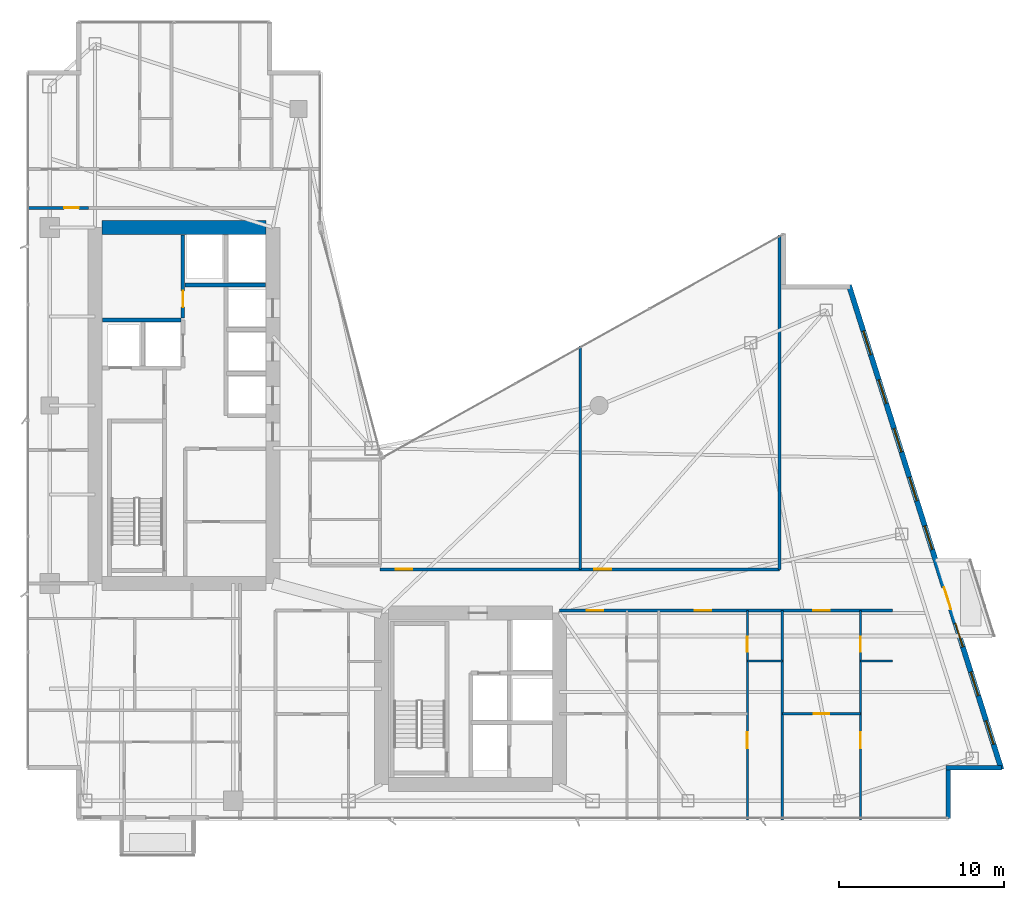
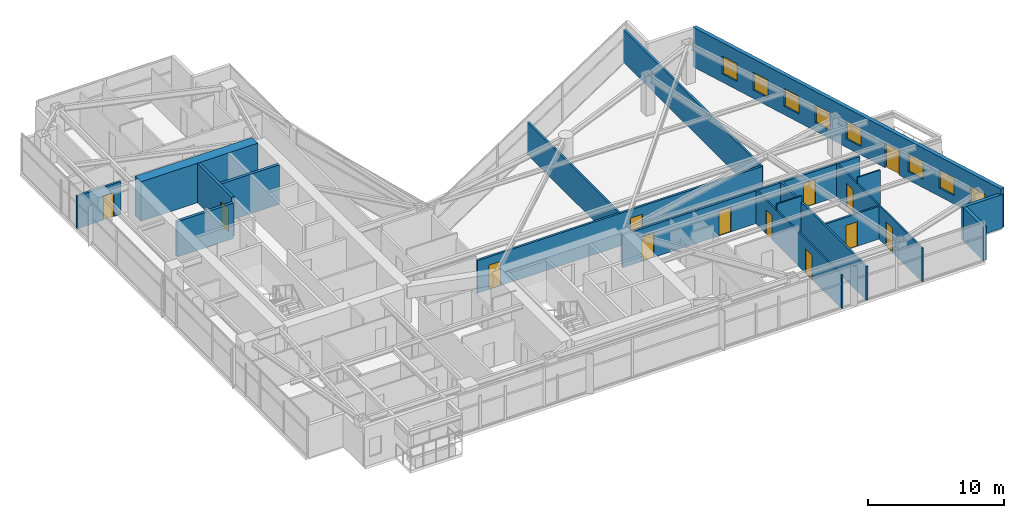
# One storey, part 24 of 28: 18 walls, 13 doors, 8 windows, 21 openings.
"""IFC4 building model written with IfcOpenShell, lengths in metres."""

from ifc_helpers import new_model, si_unit, direction, frame, frame_2d, origin, place, context, subcontext, project, spatial, rectangle, extrude, material, layer, layer_set, type_object, element, fill, save


model = new_model("IFC4")

# Units and contexts
model_context = context("Model", 3, precision=1e-05, world=origin(), true_north=direction((0.0, 1.0)))
body_context = subcontext(model_context, "Body", "Model", "MODEL_VIEW")
ifc_project = project(units=[si_unit("LENGTHUNIT", "METRE"), si_unit("AREAUNIT", "SQUARE_METRE"), si_unit("VOLUMEUNIT", "CUBIC_METRE"), si_unit("PLANEANGLEUNIT", "RADIAN"), si_unit("MASSUNIT", "GRAM", prefix="KILO")], contexts=[model_context])

# Site, building, storey
site_placement = place(None, origin())
site = spatial("IfcSite", under=ifc_project, at=site_placement, CompositionType="ELEMENT")
building_placement = place(site_placement, origin())
building = spatial("IfcBuilding", under=site, at=building_placement, Name="Calvorn Quay Hotel", CompositionType="ELEMENT")
storey_placement = place(building_placement, frame((0.0, 0.0, 152.300048828125)))
storey = spatial("IfcBuildingStorey", under=building, at=storey_placement, Name="L37", CompositionType="ELEMENT", Elevation=152.300048828125)

# Wall
ifc_material_1 = material(Name="Concrete C50", Category="concrete")
ifc_layer_1 = layer(ifc_material_1, 0.85009765625)
ifc_layer_set_1 = layer_set([ifc_layer_1], Name="WL-CORE-850")
wall_type_1 = type_object("IfcWallType", Name="WL-CORE-850", PredefinedType="SHEAR", material=ifc_layer_set_1)
wall_1_placement = place(storey_placement, frame((4.625, 38.39990234375, 0.0), z_axis=(0.0, 0.0, 1.0), x_axis=(1.0, 0.0, 0.0)))
element("IfcWall", 1, at=wall_1_placement, inside=storey, type_object=wall_type_1, Name="West Core Shear Wall N (L37)", PredefinedType="SHEAR", context=body_context, shape_type="SweptSolid", body=[
    extrude(rectangle(XDim=9.949951171875, YDim=0.85009765625, at=frame_2d((4.97509765625, 0.0))), origin(), (0.0, 0.0, 1.0), 3.56005859375),
])

# Wall, opening, door
ifc_material_2 = material(Name="Acoustic Fireboard Steel-Stud Partition", Category="steel")
ifc_layer_2 = layer(ifc_material_2, 0.179931640625)
ifc_layer_set_2 = layer_set([ifc_layer_2], Name="WL-CORR-FIRE-180")
wall_type_2 = type_object("IfcWallType", Name="WL-CORR-FIRE-180", PredefinedType="PARTITIONING", material=ifc_layer_set_2)
wall_2_placement = place(storey_placement, frame((0.080078125, 39.60009765625, 0.0), z_axis=(0.0, 0.0, 1.0), x_axis=(1.0, 0.0, 0.0)))
wall_2 = element("IfcWall", 2, at=wall_2_placement, inside=storey, type_object=wall_type_2, Name="Partition Wall L37-WL-WBAY-N-DOOR", PredefinedType="PARTITIONING", context=body_context, shape_type="SweptSolid", body=[
    extrude(rectangle(XDim=3.724853515625, YDim=0.179931640625, at=frame_2d((1.8623046875, 0.0))), origin(), (0.0, 0.0, 1.0), 2.93994140625),
])
opening_1_placement = place(wall_2_placement, frame((2.25, 0.0, 0.0)))
opening_1 = element("IfcOpeningElement", 3, at=opening_1_placement, cuts=wall_2, Name="Opening D-L37-WBN", PredefinedType="OPENING", context=body_context, shape_type="SweptSolid", body=[
    extrude(rectangle(XDim=0.89990234375, YDim=2.14990234375, at=frame_2d((0.449951171875, 1.074951171875))), frame((0.0, 0.099853515625, 0.0), z_axis=(0.0, -1.0, 0.0), x_axis=(1.0, 0.0, 0.0)), (0.0, 0.0, 1.0), 0.199951171875),
])
ifc_material_3 = material(Name="Moisture-Sealed Timber En-Suite Door", Category="wood")
door_type_1 = type_object("IfcDoorType", Name="DR-ENSUITE-900", OperationType="NOTDEFINED", PredefinedType="DOOR", material=ifc_material_3)
door_1_placement = place(opening_1_placement, origin())
door_1 = element("IfcDoor", 4, at=door_1_placement, inside=storey, type_object=door_type_1, Name="West North Bay Door (L37)", OperationType="SINGLE_SWING_LEFT", OverallHeight=2.14990234375, OverallWidth=0.89990234375, PredefinedType="DOOR", context=body_context, shape_type="SweptSolid", body=[
    extrude(rectangle(XDim=0.89990234375, YDim=2.14990234375, at=frame_2d((0.449951171875, 1.074951171875))), frame((0.0, 0.02490234375, 0.0), z_axis=(0.0, -1.0, 0.0), x_axis=(1.0, 0.0, 0.0)), (0.0, 0.0, 1.0), 0.050048828125),
])
fill(opening_1, door_1)

# Wall, openings, doors
wall_3_placement = place(storey_placement, frame((32.39990234375, 15.14990234375, 0.0), z_axis=(0.0, 0.0, 1.0), x_axis=(1.0, 0.0, 0.0)))
wall_3 = element("IfcWall", 5, at=wall_3_placement, inside=storey, type_object=wall_type_2, Name="Partition Wall L37-WL-CORR-SE-S", PredefinedType="PARTITIONING", context=body_context, shape_type="SweptSolid", body=[
    extrude(rectangle(XDim=20.2001953125, YDim=0.179931640625, at=frame_2d((10.10009765625, 0.0))), origin(), (0.0, 0.0, 1.0), 2.93994140625),
])
opening_2_placement = place(wall_3_placement, frame((1.639892578125, 0.0, 0.0)))
opening_2 = element("IfcOpeningElement", 6, at=opening_2_placement, cuts=wall_3, Name="Opening D-L37-U06", PredefinedType="OPENING", context=body_context, shape_type="SweptSolid", body=[
    extrude(rectangle(XDim=1.02001953125, YDim=2.199951171875, at=frame_2d((0.510009765625, 1.10009765625))), frame((0.0, 0.099853515625, 0.0), z_axis=(0.0, -1.0, 0.0), x_axis=(1.0, 0.0, 0.0)), (0.0, 0.0, 1.0), 0.199951171875),
])
opening_3_placement = place(wall_3_placement, frame((8.199951171875, 0.0, 0.0)))
opening_3 = element("IfcOpeningElement", 7, at=opening_3_placement, cuts=wall_3, Name="Opening D-L37-U07", PredefinedType="OPENING", context=body_context, shape_type="SweptSolid", body=[
    extrude(rectangle(XDim=1.02001953125, YDim=2.199951171875, at=frame_2d((0.510009765625, 1.10009765625))), frame((0.0, 0.099853515625, 0.0), z_axis=(0.0, -1.0, 0.0), x_axis=(1.0, 0.0, 0.0)), (0.0, 0.0, 1.0), 0.199951171875),
])
opening_4_placement = place(wall_3_placement, frame((15.389892578125, 0.0, 0.0)))
opening_4 = element("IfcOpeningElement", 8, at=opening_4_placement, cuts=wall_3, Name="Opening D-L37-U08", PredefinedType="OPENING", context=body_context, shape_type="SweptSolid", body=[
    extrude(rectangle(XDim=1.02001953125, YDim=2.199951171875, at=frame_2d((0.510009765625, 1.10009765625))), frame((0.0, 0.099853515625, 0.0), z_axis=(0.0, -1.0, 0.0), x_axis=(1.0, 0.0, 0.0)), (0.0, 0.0, 1.0), 0.199951171875),
])
ifc_material_4 = material(Name="Solid-Core Walnut Veneer Hotel Fire Door")
door_type_2 = type_object("IfcDoorType", Name="DR-GUEST-ENTRY-1020", OperationType="NOTDEFINED", PredefinedType="DOOR", material=ifc_material_4)
door_2_placement = place(opening_2_placement, origin())
door_2 = element("IfcDoor", 9, at=door_2_placement, inside=storey, type_object=door_type_2, Name="South-East Unit Door U06 (L37)", OperationType="SINGLE_SWING_LEFT", OverallHeight=2.199951171875, OverallWidth=1.02001953125, PredefinedType="DOOR", context=body_context, shape_type="SweptSolid", body=[
    extrude(rectangle(XDim=1.02001953125, YDim=2.199951171875, at=frame_2d((0.510009765625, 1.10009765625))), frame((0.0, 0.02490234375, 0.0), z_axis=(0.0, -1.0, 0.0), x_axis=(1.0, 0.0, 0.0)), (0.0, 0.0, 1.0), 0.050048828125),
])
fill(opening_2, door_2)
door_3_placement = place(opening_3_placement, origin())
door_3 = element("IfcDoor", 10, at=door_3_placement, inside=storey, type_object=door_type_2, Name="South-East Unit Door U07 (L37)", OperationType="SINGLE_SWING_RIGHT", OverallHeight=2.199951171875, OverallWidth=1.02001953125, PredefinedType="DOOR", context=body_context, shape_type="SweptSolid", body=[
    extrude(rectangle(XDim=1.02001953125, YDim=2.199951171875, at=frame_2d((0.510009765625, 1.10009765625))), frame((0.0, 0.02490234375, 0.0), z_axis=(0.0, -1.0, 0.0), x_axis=(1.0, 0.0, 0.0)), (0.0, 0.0, 1.0), 0.050048828125),
])
fill(opening_3, door_3)
door_4_placement = place(opening_4_placement, origin())
door_4 = element("IfcDoor", 11, at=door_4_placement, inside=storey, type_object=door_type_2, Name="South-East Unit Door U08 (L37)", OperationType="SINGLE_SWING_LEFT", OverallHeight=2.199951171875, OverallWidth=1.02001953125, PredefinedType="DOOR", context=body_context, shape_type="SweptSolid", body=[
    extrude(rectangle(XDim=1.02001953125, YDim=2.199951171875, at=frame_2d((0.510009765625, 1.10009765625))), frame((0.0, 0.02490234375, 0.0), z_axis=(0.0, -1.0, 0.0), x_axis=(1.0, 0.0, 0.0)), (0.0, 0.0, 1.0), 0.050048828125),
])
fill(opening_4, door_4)

wall_4_placement = place(storey_placement, frame((21.5, 17.64990234375, 0.0), z_axis=(0.0, 0.0, 1.0), x_axis=(1.0, 0.0, 0.0)))
wall_4 = element("IfcWall", 12, at=wall_4_placement, inside=storey, type_object=wall_type_2, Name="Partition Wall L37-WL-CORR-NE-N", PredefinedType="PARTITIONING", context=body_context, shape_type="SweptSolid", body=[
    extrude(rectangle(XDim=24.25, YDim=0.179931640625, at=frame_2d((12.125, 0.0))), origin(), (0.0, 0.0, 1.0), 2.93994140625),
])
opening_5_placement = place(wall_4_placement, frame((0.949951171875, 0.0, 0.0)))
opening_5 = element("IfcOpeningElement", 13, at=opening_5_placement, cuts=wall_4, Name="Opening D-L37-NS1", PredefinedType="OPENING", context=body_context, shape_type="SweptSolid", body=[
    extrude(rectangle(XDim=1.02001953125, YDim=2.199951171875, at=frame_2d((0.510009765625, 1.10009765625))), frame((0.0, 0.099853515625, 0.0), z_axis=(0.0, -1.0, 0.0), x_axis=(1.0, 0.0, 0.0)), (0.0, 0.0, 1.0), 0.199951171875),
])
opening_6_placement = place(wall_4_placement, frame((13.02001953125, 0.0, 0.0)))
opening_6 = element("IfcOpeningElement", 14, at=opening_6_placement, cuts=wall_4, Name="Opening D-L37-NS2", PredefinedType="OPENING", context=body_context, shape_type="SweptSolid", body=[
    extrude(rectangle(XDim=1.02001953125, YDim=2.199951171875, at=frame_2d((0.510009765625, 1.10009765625))), frame((0.0, 0.099853515625, 0.0), z_axis=(0.0, -1.0, 0.0), x_axis=(1.0, 0.0, 0.0)), (0.0, 0.0, 1.0), 0.199951171875),
])
door_5_placement = place(opening_5_placement, origin())
door_5 = element("IfcDoor", 15, at=door_5_placement, inside=storey, type_object=door_type_2, Name="Conservatory Salon Door 1 (L37)", OperationType="SINGLE_SWING_RIGHT", OverallHeight=2.199951171875, OverallWidth=1.02001953125, PredefinedType="DOOR", context=body_context, shape_type="SweptSolid", body=[
    extrude(rectangle(XDim=1.02001953125, YDim=2.199951171875, at=frame_2d((0.510009765625, 1.10009765625))), frame((0.0, 0.02490234375, 0.0), z_axis=(0.0, -1.0, 0.0), x_axis=(1.0, 0.0, 0.0)), (0.0, 0.0, 1.0), 0.050048828125),
])
fill(opening_5, door_5)
door_6_placement = place(opening_6_placement, origin())
door_6 = element("IfcDoor", 16, at=door_6_placement, inside=storey, type_object=door_type_2, Name="Conservatory Salon Door 2 (L37)", OperationType="SINGLE_SWING_LEFT", OverallHeight=2.199951171875, OverallWidth=1.02001953125, PredefinedType="DOOR", context=body_context, shape_type="SweptSolid", body=[
    extrude(rectangle(XDim=1.02001953125, YDim=2.199951171875, at=frame_2d((0.510009765625, 1.10009765625))), frame((0.0, 0.02490234375, 0.0), z_axis=(0.0, -1.0, 0.0), x_axis=(1.0, 0.0, 0.0)), (0.0, 0.0, 1.0), 0.050048828125),
])
fill(opening_6, door_6)

# Walls
wall_5_placement = place(storey_placement, frame((45.75, 17.64990234375, 0.0), z_axis=(0.0, 0.0, 1.0), x_axis=(0.0, 1.0, 0.0)))
element("IfcWall", 17, at=wall_5_placement, inside=storey, type_object=wall_type_2, Name="Partition Wall L37-WL-NE-END-E", PredefinedType="PARTITIONING", context=body_context, shape_type="SweptSolid", body=[
    extrude(rectangle(XDim=20.2900390625, YDim=0.179931640625, at=frame_2d((10.14501953125, 0.0))), origin(), (0.0, 0.0, 1.0), 2.93994140625),
])
ifc_material_5 = material(Name="Moisture-Resistant Tile-Backed Partition")
ifc_layer_3 = layer(ifc_material_5, 0.125)
ifc_layer_set_3 = layer_set([ifc_layer_3], Name="WL-ENSUITE-125")
wall_type_3 = type_object("IfcWallType", Name="WL-ENSUITE-125", PredefinedType="PARTITIONING", material=ifc_layer_set_3)
wall_6_placement = place(storey_placement, frame((43.800048828125, 12.10009765625, 0.0), z_axis=(0.0, 0.0, 1.0), x_axis=(1.0, 0.0, 0.0)))
element("IfcWall", 18, at=wall_6_placement, inside=storey, type_object=wall_type_3, Name="Partition Wall L37-WL-U07-BDV", PredefinedType="PARTITIONING", context=body_context, shape_type="SweptSolid", body=[
    extrude(rectangle(XDim=2.1298828125, YDim=0.125, at=frame_2d((1.06494140625, 0.0))), origin(), (0.0, 0.0, 1.0), 3.56005859375),
])

# Wall, openings, doors
wall_7_placement = place(storey_placement, frame((43.800048828125, 2.43994140625, 0.0), z_axis=(0.0, 0.0, 1.0), x_axis=(0.0, 1.0, 0.0)))
wall_7 = element("IfcWall", 19, at=wall_7_placement, inside=storey, type_object=wall_type_3, Name="Partition Wall L37-WL-U07-BV", PredefinedType="PARTITIONING", context=body_context, shape_type="SweptSolid", body=[
    extrude(rectangle(XDim=12.7099609375, YDim=0.125, at=frame_2d((6.35498046875, 0.0))), origin(), (0.0, 0.0, 1.0), 3.0400390625),
])
opening_7_placement = place(wall_7_placement, frame((4.35009765625, 0.0, 0.0)))
opening_7 = element("IfcOpeningElement", 20, at=opening_7_placement, cuts=wall_7, Name="Opening D-L37-S07", PredefinedType="OPENING", context=body_context, shape_type="SweptSolid", body=[
    extrude(rectangle(XDim=0.9599609375, YDim=2.199951171875, at=frame_2d((0.47998046875, 1.10009765625))), frame((0.0, 0.072509765625, 0.0), z_axis=(0.0, -1.0, 0.0), x_axis=(1.0, 0.0, 0.0)), (0.0, 0.0, 1.0), 0.14501953125),
])
opening_8_placement = place(wall_7_placement, frame((10.2099609375, 0.0, 0.0)))
opening_8 = element("IfcOpeningElement", 21, at=opening_8_placement, cuts=wall_7, Name="Opening D-L37-E07", PredefinedType="OPENING", context=body_context, shape_type="SweptSolid", body=[
    extrude(rectangle(XDim=0.89990234375, YDim=2.14990234375, at=frame_2d((0.449951171875, 1.074951171875))), frame((0.0, 0.072509765625, 0.0), z_axis=(0.0, -1.0, 0.0), x_axis=(1.0, 0.0, 0.0)), (0.0, 0.0, 1.0), 0.14501953125),
])
door_7_placement = place(opening_8_placement, origin())
door_7 = element("IfcDoor", 22, at=door_7_placement, inside=storey, type_object=door_type_1, Name="En-Suite Door 07", OperationType="SINGLE_SWING_RIGHT", OverallHeight=2.14990234375, OverallWidth=0.89990234375, PredefinedType="DOOR", context=body_context, shape_type="SweptSolid", body=[
    extrude(rectangle(XDim=0.89990234375, YDim=2.14990234375, at=frame_2d((0.449951171875, 1.074951171875))), frame((0.0, 0.02490234375, 0.0), z_axis=(0.0, -1.0, 0.0), x_axis=(1.0, 0.0, 0.0)), (0.0, 0.0, 1.0), 0.050048828125),
])
fill(opening_8, door_7)
ifc_material_6 = material(Name="Solid Timber Internal Suite Door", Category="wood")
door_type_3 = type_object("IfcDoorType", Name="DR-SUITE-INT-960", OperationType="NOTDEFINED", PredefinedType="DOOR", material=ifc_material_6)
door_8_placement = place(opening_7_placement, origin())
door_8 = element("IfcDoor", 23, at=door_8_placement, inside=storey, type_object=door_type_3, Name="Spa Therapy Room Door 07", OperationType="SINGLE_SWING_LEFT", OverallHeight=2.199951171875, OverallWidth=0.9599609375, PredefinedType="DOOR", context=body_context, shape_type="SweptSolid", body=[
    extrude(rectangle(XDim=0.9599609375, YDim=2.199951171875, at=frame_2d((0.47998046875, 1.10009765625))), frame((0.0, 0.02490234375, 0.0), z_axis=(0.0, -1.0, 0.0), x_axis=(1.0, 0.0, 0.0)), (0.0, 0.0, 1.0), 0.050048828125),
])
fill(opening_7, door_8)

# Wall
wall_8_placement = place(storey_placement, frame((50.669921875, 12.10009765625, 0.0), z_axis=(0.0, 0.0, 1.0), x_axis=(1.0, 0.0, 0.0)))
element("IfcWall", 24, at=wall_8_placement, inside=storey, type_object=wall_type_3, Name="Partition Wall L37-WL-U08-BDV", PredefinedType="PARTITIONING", context=body_context, shape_type="SweptSolid", body=[
    extrude(rectangle(XDim=1.93017578125, YDim=0.125, at=frame_2d((0.965087890625, 0.0))), origin(), (0.0, 0.0, 1.0), 3.56005859375),
])

# Wall, openings, doors
wall_9_placement = place(storey_placement, frame((50.669921875, 2.43994140625, 0.0), z_axis=(0.0, 0.0, 1.0), x_axis=(0.0, 1.0, 0.0)))
wall_9 = element("IfcWall", 25, at=wall_9_placement, inside=storey, type_object=wall_type_3, Name="Partition Wall L37-WL-U08-BV", PredefinedType="PARTITIONING", context=body_context, shape_type="SweptSolid", body=[
    extrude(rectangle(XDim=12.7099609375, YDim=0.125, at=frame_2d((6.35498046875, 0.0))), origin(), (0.0, 0.0, 1.0), 3.0400390625),
])
opening_9_placement = place(wall_9_placement, frame((4.35009765625, 0.0, 0.0)))
opening_9 = element("IfcOpeningElement", 26, at=opening_9_placement, cuts=wall_9, Name="Opening D-L37-S08", PredefinedType="OPENING", context=body_context, shape_type="SweptSolid", body=[
    extrude(rectangle(XDim=0.9599609375, YDim=2.199951171875, at=frame_2d((0.47998046875, 1.10009765625))), frame((0.0, 0.072509765625, 0.0), z_axis=(0.0, -1.0, 0.0), x_axis=(1.0, 0.0, 0.0)), (0.0, 0.0, 1.0), 0.14501953125),
])
opening_10_placement = place(wall_9_placement, frame((10.2099609375, 0.0, 0.0)))
opening_10 = element("IfcOpeningElement", 27, at=opening_10_placement, cuts=wall_9, Name="Opening D-L37-E08", PredefinedType="OPENING", context=body_context, shape_type="SweptSolid", body=[
    extrude(rectangle(XDim=0.89990234375, YDim=2.14990234375, at=frame_2d((0.449951171875, 1.074951171875))), frame((0.0, 0.072509765625, 0.0), z_axis=(0.0, -1.0, 0.0), x_axis=(1.0, 0.0, 0.0)), (0.0, 0.0, 1.0), 0.14501953125),
])
door_9_placement = place(opening_10_placement, origin())
door_9 = element("IfcDoor", 28, at=door_9_placement, inside=storey, type_object=door_type_1, Name="En-Suite Door 08", OperationType="SINGLE_SWING_RIGHT", OverallHeight=2.14990234375, OverallWidth=0.89990234375, PredefinedType="DOOR", context=body_context, shape_type="SweptSolid", body=[
    extrude(rectangle(XDim=0.89990234375, YDim=2.14990234375, at=frame_2d((0.449951171875, 1.074951171875))), frame((0.0, 0.02490234375, 0.0), z_axis=(0.0, -1.0, 0.0), x_axis=(1.0, 0.0, 0.0)), (0.0, 0.0, 1.0), 0.050048828125),
])
fill(opening_10, door_9)
door_10_placement = place(opening_9_placement, origin())
door_10 = element("IfcDoor", 29, at=door_10_placement, inside=storey, type_object=door_type_3, Name="Spa Therapy Room Door 08", OperationType="SINGLE_SWING_LEFT", OverallHeight=2.199951171875, OverallWidth=0.9599609375, PredefinedType="DOOR", context=body_context, shape_type="SweptSolid", body=[
    extrude(rectangle(XDim=0.9599609375, YDim=2.199951171875, at=frame_2d((0.47998046875, 1.10009765625))), frame((0.0, 0.02490234375, 0.0), z_axis=(0.0, -1.0, 0.0), x_axis=(1.0, 0.0, 0.0)), (0.0, 0.0, 1.0), 0.050048828125),
])
fill(opening_9, door_10)

# Walls
ifc_material_7 = material(Name="Concrete C40", Category="concrete")
ifc_layer_4 = layer(ifc_material_7, 0.320068359375)
ifc_layer_set_4 = layer_set([ifc_layer_4], Name="WL-EXT-SPANDREL-320")
wall_type_4 = type_object("IfcWallType", Name="WL-EXT-SPANDREL-320", PredefinedType="SOLIDWALL", material=ifc_layer_set_4)
wall_10_placement = place(storey_placement, frame((56.0, 2.52001953125, 0.0), z_axis=(0.0, 0.0, 1.0), x_axis=(0.0, 1.0, 0.0)))
element("IfcWall", 30, at=wall_10_placement, inside=storey, type_object=wall_type_4, Name="Notched Corner Spandrel L37-SE1", PredefinedType="SOLIDWALL", context=body_context, shape_type="SweptSolid", body=[
    extrude(rectangle(XDim=2.93994140625, YDim=0.280029296875, at=frame_2d((1.469970703125, 0.0))), origin(), (0.0, 0.0, 1.0), 3.0400390625),
])
wall_11_placement = place(storey_placement, frame((55.860107421875, 5.60009765625, 0.0), z_axis=(0.0, 0.0, 1.0), x_axis=(1.0, 0.0, 0.0)))
element("IfcWall", 31, at=wall_11_placement, inside=storey, type_object=wall_type_4, Name="Notched Corner Spandrel L37-SE2", PredefinedType="SOLIDWALL", context=body_context, shape_type="SweptSolid", body=[
    extrude(rectangle(XDim=3.3798828125, YDim=0.280029296875, at=frame_2d((1.68994140625, 0.0))), origin(), (0.0, 0.0, 1.0), 3.0400390625),
])

# Wall, openings, door, windows
wall_12_placement = place(storey_placement, frame((59.22998046875, 5.5048828125, 0.0), z_axis=(0.0, 0.0, 1.0), x_axis=(-0.300509063924, 0.953778958931, 0.0)))
wall_12 = element("IfcWall", 32, at=wall_12_placement, inside=storey, type_object=wall_type_4, Name="East Stepped Waterfront Exterior Wall (L37)", PredefinedType="SOLIDWALL", context=body_context, shape_type="SweptSolid", body=[
    extrude(rectangle(XDim=30.814453125, YDim=0.320068359375, at=frame_2d((15.4072265625, 0.0))), origin(), (0.0, 0.0, 1.0), 3.56005859375),
])
opening_11_placement = place(wall_12_placement, frame((10.198974609375, 0.0, 0.0)))
opening_11 = element("IfcOpeningElement", 33, at=opening_11_placement, cuts=wall_12, Name="Opening DB-L37-1", PredefinedType="OPENING", context=body_context, shape_type="SweptSolid", body=[
    extrude(rectangle(XDim=1.39990234375, YDim=2.25, at=frame_2d((0.699951171875, 1.125))), frame((0.0, 0.169921875, 0.0), z_axis=(0.0, -1.0, 0.0), x_axis=(1.0, 0.0, 0.0)), (0.0, 0.0, 1.0), 0.340087890625),
])
opening_12_placement = place(wall_12_placement, frame((1.60009765625, 0.0, 0.75)))
opening_12 = element("IfcOpeningElement", 34, at=opening_12_placement, cuts=wall_12, Name="Opening WG-L37-E1", PredefinedType="OPENING", context=body_context, shape_type="SweptSolid", body=[
    extrude(rectangle(XDim=1.5, YDim=1.60009765625, at=frame_2d((0.75, 0.800048828125))), frame((0.0, 0.169921875, 0.0), z_axis=(0.0, -1.0, 0.0), x_axis=(1.0, 0.0, 0.0)), (0.0, 0.0, 1.0), 0.340087890625),
])
opening_13_placement = place(wall_12_placement, frame((4.699951171875, 0.0, 0.75)))
opening_13 = element("IfcOpeningElement", 35, at=opening_13_placement, cuts=wall_12, Name="Opening WG-L37-E2", PredefinedType="OPENING", context=body_context, shape_type="SweptSolid", body=[
    extrude(rectangle(XDim=1.5, YDim=1.60009765625, at=frame_2d((0.75, 0.800048828125))), frame((0.0, 0.169921875, 0.0), z_axis=(0.0, -1.0, 0.0), x_axis=(1.0, 0.0, 0.0)), (0.0, 0.0, 1.0), 0.340087890625),
])
opening_14_placement = place(wall_12_placement, frame((7.800048828125, 0.0, 0.75)))
opening_14 = element("IfcOpeningElement", 36, at=opening_14_placement, cuts=wall_12, Name="Opening WG-L37-E3", PredefinedType="OPENING", context=body_context, shape_type="SweptSolid", body=[
    extrude(rectangle(XDim=1.5, YDim=1.60009765625, at=frame_2d((0.75, 0.800048828125))), frame((0.0, 0.169921875, 0.0), z_axis=(0.0, -1.0, 0.0), x_axis=(1.0, 0.0, 0.0)), (0.0, 0.0, 1.0), 0.340087890625),
])
opening_15_placement = place(wall_12_placement, frame((14.0, 0.0, 0.75)))
opening_15 = element("IfcOpeningElement", 37, at=opening_15_placement, cuts=wall_12, Name="Opening WG-L37-E4", PredefinedType="OPENING", context=body_context, shape_type="SweptSolid", body=[
    extrude(rectangle(XDim=1.5, YDim=1.60009765625, at=frame_2d((0.75, 0.800048828125))), frame((0.0, 0.169921875, 0.0), z_axis=(0.0, -1.0, 0.0), x_axis=(1.0, 0.0, 0.0)), (0.0, 0.0, 1.0), 0.340087890625),
])
opening_16_placement = place(wall_12_placement, frame((17.10009765625, 0.0, 0.75)))
opening_16 = element("IfcOpeningElement", 38, at=opening_16_placement, cuts=wall_12, Name="Opening WG-L37-E5", PredefinedType="OPENING", context=body_context, shape_type="SweptSolid", body=[
    extrude(rectangle(XDim=1.5, YDim=1.60009765625, at=frame_2d((0.75, 0.800048828125))), frame((0.0, 0.169921875, 0.0), z_axis=(0.0, -1.0, 0.0), x_axis=(1.0, 0.0, 0.0)), (0.0, 0.0, 1.0), 0.340087890625),
])
opening_17_placement = place(wall_12_placement, frame((20.199951171875, 0.0, 0.75)))
opening_17 = element("IfcOpeningElement", 39, at=opening_17_placement, cuts=wall_12, Name="Opening WG-L37-E6", PredefinedType="OPENING", context=body_context, shape_type="SweptSolid", body=[
    extrude(rectangle(XDim=1.5, YDim=1.60009765625, at=frame_2d((0.75, 0.800048828125))), frame((0.0, 0.169921875, 0.0), z_axis=(0.0, -1.0, 0.0), x_axis=(1.0, 0.0, 0.0)), (0.0, 0.0, 1.0), 0.340087890625),
])
opening_18_placement = place(wall_12_placement, frame((23.300048828125, 0.0, 0.75)))
opening_18 = element("IfcOpeningElement", 40, at=opening_18_placement, cuts=wall_12, Name="Opening WG-L37-E7", PredefinedType="OPENING", context=body_context, shape_type="SweptSolid", body=[
    extrude(rectangle(XDim=1.5, YDim=1.60009765625, at=frame_2d((0.75, 0.800048828125))), frame((0.0, 0.169921875, 0.0), z_axis=(0.0, -1.0, 0.0), x_axis=(1.0, 0.0, 0.0)), (0.0, 0.0, 1.0), 0.340087890625),
])
opening_19_placement = place(wall_12_placement, frame((26.39990234375, 0.0, 0.75)))
opening_19 = element("IfcOpeningElement", 41, at=opening_19_placement, cuts=wall_12, Name="Opening WG-L37-E8", PredefinedType="OPENING", context=body_context, shape_type="SweptSolid", body=[
    extrude(rectangle(XDim=1.5, YDim=1.60009765625, at=frame_2d((0.75, 0.800048828125))), frame((0.0, 0.169921875, 0.0), z_axis=(0.0, -1.0, 0.0), x_axis=(1.0, 0.0, 0.0)), (0.0, 0.0, 1.0), 0.340087890625),
])
ifc_material_8 = material(Name="Typhoon-Rated Low-E Aluminium Terrace Door", Category="aluminium")
door_type_4 = type_object("IfcDoorType", Name="DR-BALCONY-GLZ-1400", OperationType="NOTDEFINED", PredefinedType="DOOR", material=ifc_material_8)
door_11_placement = place(opening_11_placement, origin())
door_11 = element("IfcDoor", 42, at=door_11_placement, inside=storey, type_object=door_type_4, Name="Tree Balcony Terrace Door L37-BALC-E", OperationType="SINGLE_SWING_LEFT", OverallHeight=2.25, OverallWidth=1.39990234375, PredefinedType="DOOR", context=body_context, shape_type="SweptSolid", body=[
    extrude(rectangle(XDim=1.39990234375, YDim=2.25, at=frame_2d((0.699951171875, 1.125))), frame((0.0, 0.02490234375, 0.0), z_axis=(0.0, -1.0, 0.0), x_axis=(1.0, 0.0, 0.0)), (0.0, 0.0, 1.0), 0.050048828125),
])
fill(opening_11, door_11)
ifc_material_9 = material(Name="Self-Closing Class B Fire Window")
window_type = type_object("IfcWindowType", Name="WIN-REFUGE-1500x1600", PartitioningType="SINGLE_PANEL", PredefinedType="WINDOW", material=ifc_material_9)
window_1_placement = place(opening_12_placement, origin())
window_1 = element("IfcWindow", 43, at=window_1_placement, inside=storey, type_object=window_type, Name="East Facade Window L37-E1", OverallHeight=1.60009765625, OverallWidth=1.5, PartitioningType="SINGLE_PANEL", PredefinedType="WINDOW", context=body_context, shape_type="SweptSolid", body=[
    extrude(rectangle(XDim=1.5, YDim=1.60009765625, at=frame_2d((0.75, 0.800048828125))), frame((0.0, 0.030029296875, 0.0), z_axis=(0.0, -1.0, 0.0), x_axis=(1.0, 0.0, 0.0)), (0.0, 0.0, 1.0), 0.06005859375),
])
fill(opening_12, window_1)
window_2_placement = place(opening_13_placement, origin())
window_2 = element("IfcWindow", 44, at=window_2_placement, inside=storey, type_object=window_type, Name="East Facade Window L37-E2", OverallHeight=1.60009765625, OverallWidth=1.5, PartitioningType="SINGLE_PANEL", PredefinedType="WINDOW", context=body_context, shape_type="SweptSolid", body=[
    extrude(rectangle(XDim=1.5, YDim=1.60009765625, at=frame_2d((0.75, 0.800048828125))), frame((0.0, 0.030029296875, 0.0), z_axis=(0.0, -1.0, 0.0), x_axis=(1.0, 0.0, 0.0)), (0.0, 0.0, 1.0), 0.06005859375),
])
fill(opening_13, window_2)
window_3_placement = place(opening_14_placement, origin())
window_3 = element("IfcWindow", 45, at=window_3_placement, inside=storey, type_object=window_type, Name="East Facade Window L37-E3", OverallHeight=1.60009765625, OverallWidth=1.5, PartitioningType="SINGLE_PANEL", PredefinedType="WINDOW", context=body_context, shape_type="SweptSolid", body=[
    extrude(rectangle(XDim=1.5, YDim=1.60009765625, at=frame_2d((0.75, 0.800048828125))), frame((0.0, 0.030029296875, 0.0), z_axis=(0.0, -1.0, 0.0), x_axis=(1.0, 0.0, 0.0)), (0.0, 0.0, 1.0), 0.06005859375),
])
fill(opening_14, window_3)
window_4_placement = place(opening_15_placement, origin())
window_4 = element("IfcWindow", 46, at=window_4_placement, inside=storey, type_object=window_type, Name="East Facade Window L37-E4", OverallHeight=1.60009765625, OverallWidth=1.5, PartitioningType="SINGLE_PANEL", PredefinedType="WINDOW", context=body_context, shape_type="SweptSolid", body=[
    extrude(rectangle(XDim=1.5, YDim=1.60009765625, at=frame_2d((0.75, 0.800048828125))), frame((0.0, 0.030029296875, 0.0), z_axis=(0.0, -1.0, 0.0), x_axis=(1.0, 0.0, 0.0)), (0.0, 0.0, 1.0), 0.06005859375),
])
fill(opening_15, window_4)
window_5_placement = place(opening_16_placement, origin())
window_5 = element("IfcWindow", 47, at=window_5_placement, inside=storey, type_object=window_type, Name="East Facade Window L37-E5", OverallHeight=1.60009765625, OverallWidth=1.5, PartitioningType="SINGLE_PANEL", PredefinedType="WINDOW", context=body_context, shape_type="SweptSolid", body=[
    extrude(rectangle(XDim=1.5, YDim=1.60009765625, at=frame_2d((0.75, 0.800048828125))), frame((0.0, 0.030029296875, 0.0), z_axis=(0.0, -1.0, 0.0), x_axis=(1.0, 0.0, 0.0)), (0.0, 0.0, 1.0), 0.06005859375),
])
fill(opening_16, window_5)
window_6_placement = place(opening_17_placement, origin())
window_6 = element("IfcWindow", 48, at=window_6_placement, inside=storey, type_object=window_type, Name="East Facade Window L37-E6", OverallHeight=1.60009765625, OverallWidth=1.5, PartitioningType="SINGLE_PANEL", PredefinedType="WINDOW", context=body_context, shape_type="SweptSolid", body=[
    extrude(rectangle(XDim=1.5, YDim=1.60009765625, at=frame_2d((0.75, 0.800048828125))), frame((0.0, 0.030029296875, 0.0), z_axis=(0.0, -1.0, 0.0), x_axis=(1.0, 0.0, 0.0)), (0.0, 0.0, 1.0), 0.06005859375),
])
fill(opening_17, window_6)
window_7_placement = place(opening_18_placement, origin())
window_7 = element("IfcWindow", 49, at=window_7_placement, inside=storey, type_object=window_type, Name="East Facade Window L37-E7", OverallHeight=1.60009765625, OverallWidth=1.5, PartitioningType="SINGLE_PANEL", PredefinedType="WINDOW", context=body_context, shape_type="SweptSolid", body=[
    extrude(rectangle(XDim=1.5, YDim=1.60009765625, at=frame_2d((0.75, 0.800048828125))), frame((0.0, 0.030029296875, 0.0), z_axis=(0.0, -1.0, 0.0), x_axis=(1.0, 0.0, 0.0)), (0.0, 0.0, 1.0), 0.06005859375),
])
fill(opening_18, window_7)
window_8_placement = place(opening_19_placement, origin())
window_8 = element("IfcWindow", 50, at=window_8_placement, inside=storey, type_object=window_type, Name="East Facade Window L37-E8", OverallHeight=1.60009765625, OverallWidth=1.5, PartitioningType="SINGLE_PANEL", PredefinedType="WINDOW", context=body_context, shape_type="SweptSolid", body=[
    extrude(rectangle(XDim=1.5, YDim=1.60009765625, at=frame_2d((0.75, 0.800048828125))), frame((0.0, 0.030029296875, 0.0), z_axis=(0.0, -1.0, 0.0), x_axis=(1.0, 0.0, 0.0)), (0.0, 0.0, 1.0), 0.06005859375),
])
fill(opening_19, window_8)

# Wall, opening, door
ifc_material_10 = material(Name="Double-Stud Acoustic Gypsum Partition")
ifc_layer_5 = layer(ifc_material_10, 0.159912109375)
ifc_layer_set_5 = layer_set([ifc_layer_5], Name="WL-INTERSUITE-160")
wall_type_5 = type_object("IfcWallType", Name="WL-INTERSUITE-160", PredefinedType="PARTITIONING", material=ifc_layer_set_5)
wall_13_placement = place(storey_placement, frame((45.929931640625, 8.8798828125, 0.0), z_axis=(0.0, 0.0, 1.0), x_axis=(1.0, 0.0, 0.0)))
wall_13 = element("IfcWall", 51, at=wall_13_placement, inside=storey, type_object=wall_type_5, Name="Partition Wall L37-WL-U08-MSP", PredefinedType="PARTITIONING", context=body_context, shape_type="SweptSolid", body=[
    extrude(rectangle(XDim=4.739990234375, YDim=0.159912109375, at=frame_2d((2.3701171875, 0.0))), origin(), (0.0, 0.0, 1.0), 2.93994140625),
])
opening_20_placement = place(wall_13_placement, frame((1.889892578125, 0.0, 0.0)))
opening_20 = element("IfcOpeningElement", 52, at=opening_20_placement, cuts=wall_13, Name="Opening D-L37-M08", PredefinedType="OPENING", context=body_context, shape_type="SweptSolid", body=[
    extrude(rectangle(XDim=0.9599609375, YDim=2.199951171875, at=frame_2d((0.47998046875, 1.10009765625))), frame((0.0, 0.08984375, 0.0), z_axis=(0.0, -1.0, 0.0), x_axis=(1.0, 0.0, 0.0)), (0.0, 0.0, 1.0), 0.179931640625),
])
door_12_placement = place(opening_20_placement, origin())
door_12 = element("IfcDoor", 53, at=door_12_placement, inside=storey, type_object=door_type_3, Name="Suite Bedroom Door 08", OperationType="SINGLE_SWING_LEFT", OverallHeight=2.199951171875, OverallWidth=0.9599609375, PredefinedType="DOOR", context=body_context, shape_type="SweptSolid", body=[
    extrude(rectangle(XDim=0.9599609375, YDim=2.199951171875, at=frame_2d((0.47998046875, 1.10009765625))), frame((0.0, 0.02490234375, 0.0), z_axis=(0.0, -1.0, 0.0), x_axis=(1.0, 0.0, 0.0)), (0.0, 0.0, 1.0), 0.050048828125),
])
fill(opening_20, door_12)

# Walls
wall_14_placement = place(storey_placement, frame((45.929931640625, 2.43994140625, 0.0), z_axis=(0.0, 0.0, 1.0), x_axis=(0.0, 1.0, 0.0)))
element("IfcWall", 54, at=wall_14_placement, inside=storey, type_object=wall_type_5, Name="Partition Wall L37-WL-SE-DIV-2", PredefinedType="PARTITIONING", context=body_context, shape_type="SweptSolid", body=[
    extrude(rectangle(XDim=12.7099609375, YDim=0.159912109375, at=frame_2d((6.35498046875, 0.0))), origin(), (0.0, 0.0, 1.0), 3.0400390625),
])
wall_15_placement = place(storey_placement, frame((33.669921875, 17.64990234375, 0.0), z_axis=(0.0, 0.0, 1.0), x_axis=(0.0, 1.0, 0.0)))
element("IfcWall", 55, at=wall_15_placement, inside=storey, type_object=wall_type_5, Name="Partition Wall L37-WL-NE-DIV-1", PredefinedType="PARTITIONING", context=body_context, shape_type="SweptSolid", body=[
    extrude(rectangle(XDim=13.56005859375, YDim=0.159912109375, at=frame_2d((6.780029296875, 0.0))), origin(), (0.0, 0.0, 1.0), 2.93994140625),
])

# Wall, opening, door
ifc_material_11 = material(Name="Autoclaved Aerated Masonry Block", Category="masonry")
ifc_layer_6 = layer(ifc_material_11, 0.219970703125)
ifc_layer_set_6 = layer_set([ifc_layer_6], Name="WL-LOBBY-FIRE-220")
wall_type_6 = type_object("IfcWallType", Name="WL-LOBBY-FIRE-220", PredefinedType="SOLIDWALL", material=ifc_layer_set_6)
wall_16_placement = place(storey_placement, frame((9.5400390625, 32.919921875, 0.0), z_axis=(0.0, 0.0, 1.0), x_axis=(0.0, 1.0, 0.0)))
wall_16 = element("IfcWall", 56, at=wall_16_placement, inside=storey, type_object=wall_type_6, Name="Partition Wall L37-WL-CWW-K-E", PredefinedType="SOLIDWALL", context=body_context, shape_type="SweptSolid", body=[
    extrude(rectangle(XDim=5.03515625, YDim=0.219970703125, at=frame_2d((2.517578125, 0.0))), origin(), (0.0, 0.0, 1.0), 3.56005859375),
])
opening_21_placement = place(wall_16_placement, frame((0.64990234375, 0.0, 0.0)))
opening_21 = element("IfcOpeningElement", 57, at=opening_21_placement, cuts=wall_16, Name="Opening D-L37-CK1", PredefinedType="OPENING", context=body_context, shape_type="SweptSolid", body=[
    extrude(rectangle(XDim=0.97998046875, YDim=2.14990234375, at=frame_2d((0.489990234375, 1.074951171875))), frame((0.0, 0.119873046875, 0.0), z_axis=(0.0, -1.0, 0.0), x_axis=(1.0, 0.0, 0.0)), (0.0, 0.0, 1.0), 0.239990234375),
])
ifc_material_12 = material(Name="Painted Steel Housekeeping/Riser Fire Door", Category="steel")
door_type_5 = type_object("IfcDoorType", Name="DR-SERVICE-980", OperationType="NOTDEFINED", PredefinedType="DOOR", material=ifc_material_12)
door_13_placement = place(opening_21_placement, origin())
door_13 = element("IfcDoor", 58, at=door_13_placement, inside=storey, type_object=door_type_5, Name="Core Linen Room Door (L37)", OperationType="SINGLE_SWING_LEFT", OverallHeight=2.14990234375, OverallWidth=0.97998046875, PredefinedType="DOOR", context=body_context, shape_type="SweptSolid", body=[
    extrude(rectangle(XDim=0.97998046875, YDim=2.14990234375, at=frame_2d((0.489990234375, 1.074951171875))), frame((0.0, 0.02490234375, 0.0), z_axis=(0.0, -1.0, 0.0), x_axis=(1.0, 0.0, 0.0)), (0.0, 0.0, 1.0), 0.050048828125),
])
fill(opening_21, door_13)

# Walls
ifc_material_13 = material(Name="Concrete C40", Category="concrete")
ifc_layer_7 = layer(ifc_material_13, 0.239990234375)
ifc_layer_set_7 = layer_set([ifc_layer_7], Name="WL-SHAFT-240")
wall_type_7 = type_object("IfcWallType", Name="WL-SHAFT-240", PredefinedType="SOLIDWALL", material=ifc_layer_set_7)
wall_17_placement = place(storey_placement, frame((4.64501953125, 32.780029296875, 0.0), z_axis=(0.0, 0.0, 1.0), x_axis=(1.0, 0.0, 0.0)))
element("IfcWall", 59, at=wall_17_placement, inside=storey, type_object=wall_type_7, Name="Partition Wall L37-WL-CWW-SLW-N", PredefinedType="SOLIDWALL", context=body_context, shape_type="SweptSolid", body=[
    extrude(rectangle(XDim=4.77490234375, YDim=0.239990234375, at=frame_2d((2.387451171875, 0.0))), origin(), (0.0, 0.0, 1.0), 3.18994140625),
])
wall_18_placement = place(storey_placement, frame((9.659912109375, 34.89990234375, 0.0), z_axis=(0.0, 0.0, 1.0), x_axis=(1.0, 0.0, 0.0)))
element("IfcWall", 60, at=wall_18_placement, inside=storey, type_object=wall_type_7, Name="Partition Wall L37-WL-CWW-PLH-S", PredefinedType="SOLIDWALL", context=body_context, shape_type="SweptSolid", body=[
    extrude(rectangle(XDim=4.89501953125, YDim=0.239990234375, at=frame_2d((2.447509765625, 0.0))), origin(), (0.0, 0.0, 1.0), 3.56005859375),
])

save(model, "model.ifc")
